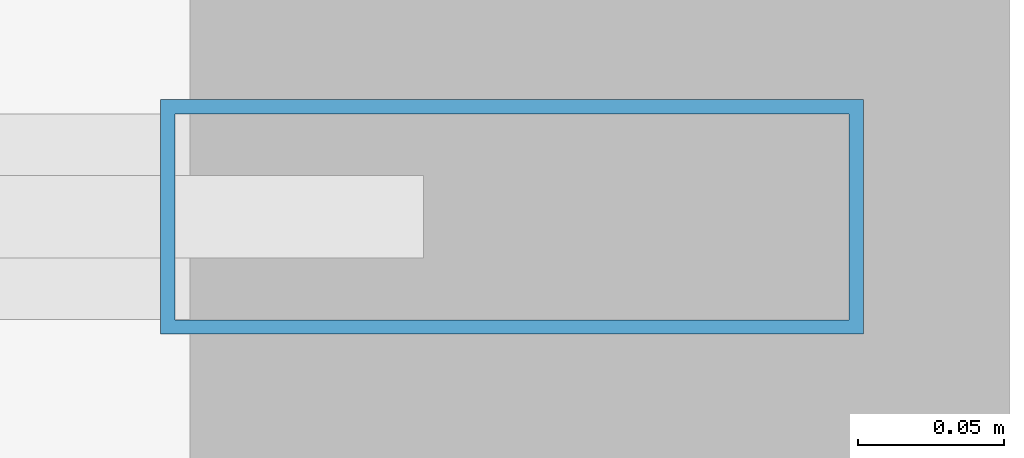
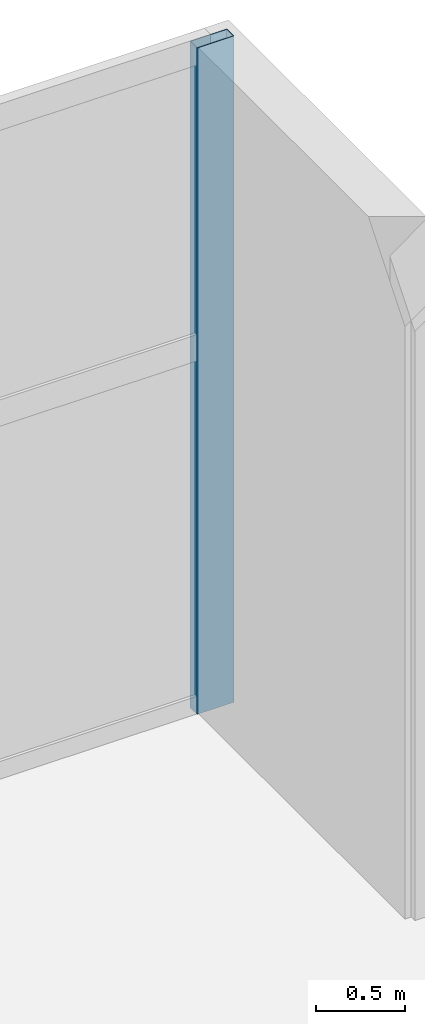
# One storey, part 23 of 30: 1 member, 1 element without a shape of its own.
"""IFC4 building model written with IfcOpenShell, lengths in metres."""

from ifc_helpers import new_model, si_unit, direction, frame, origin, origin_2d, place, context, subcontext, project, spatial, hollow_rectangle, extrude, material, layer, layer_set, material_profile, profile_set, type_object, element, aggregate, save


model = new_model("IFC4")

# Units and contexts
model_context = context("Model", 3, precision=1e-05, world=origin(), true_north=direction((0.0, 1.0)))
body_context = subcontext(model_context, "Body", "Model", "MODEL_VIEW")
ifc_project = project(units=[si_unit("LENGTHUNIT", "METRE"), si_unit("AREAUNIT", "SQUARE_METRE"), si_unit("VOLUMEUNIT", "CUBIC_METRE"), si_unit("PLANEANGLEUNIT", "RADIAN"), si_unit("MASSUNIT", "GRAM", prefix="KILO")], contexts=[model_context])

# Site, building, storey
site_placement = place(None, origin())
site = spatial("IfcSite", under=ifc_project, at=site_placement, CompositionType="ELEMENT")
building_placement = place(site_placement, origin())
building = spatial("IfcBuilding", under=site, at=building_placement, Name="Calvorn Quay Hotel", CompositionType="ELEMENT")
storey_placement = place(building_placement, frame((0.0, 0.0, 17.0)))
storey = spatial("IfcBuildingStorey", under=building, at=storey_placement, Name="L03", CompositionType="ELEMENT", Elevation=17.0)

# Curtain wall, member
ifc_material_1 = material(Name="Pale Anodised Aluminium and Low-E Glass", Category="aluminium")
ifc_layer = layer(ifc_material_1, 0.219970703125)
ifc_layer_set = layer_set([ifc_layer], Name="CW-SYS-POD")
curtain_wall_type = type_object("IfcCurtainWallType", Name="CW-SYS-POD", PredefinedType="NOTDEFINED", material=ifc_layer_set)
curtain_wall_placement = place(storey_placement, origin())
curtain_wall = element("IfcCurtainWall", 1, at=curtain_wall_placement, inside=storey, type_object=curtain_wall_type, Name="Podium Curtain Wall L03-N1", PredefinedType="NOTDEFINED")
ifc_material_2 = material(Name="Pale Anodised Aluminium 6063-T6", Category="aluminium")
ifc_material_profile = material_profile(ifc_material_2, hollow_rectangle(XDim=0.080078125, YDim=0.239990234375, WallThickness=0.0048828125, at=origin_2d()), Name="ALU-M240x80x5")
ifc_profile_set = profile_set([ifc_material_profile], Name="Pale Anodised Aluminium 6063-T6")
member_type = type_object("IfcMemberType", Name="CW-SYS-POD-MUL", PredefinedType="MULLION", material=ifc_profile_set)
member_placement = place(storey_placement, frame((73.570068359375, 55.35009765625, 0.0), z_axis=(0.0, 0.0, 1.0), x_axis=(0.0, 1.0, 0.0)))
member = element("IfcMember", 2, at=member_placement, type_object=member_type, Name="CW-L03-N1 mullion 7", PredefinedType="MULLION", context=body_context, shape_type="SweptSolid", body=[
    extrude(hollow_rectangle(XDim=0.080078125, YDim=0.239990234375, WallThickness=0.0048828125, at=origin_2d()), origin(), (0.0, 0.0, 1.0), 4.550048828125),
])
aggregate(curtain_wall, [member])

save(model, "model.ifc")
